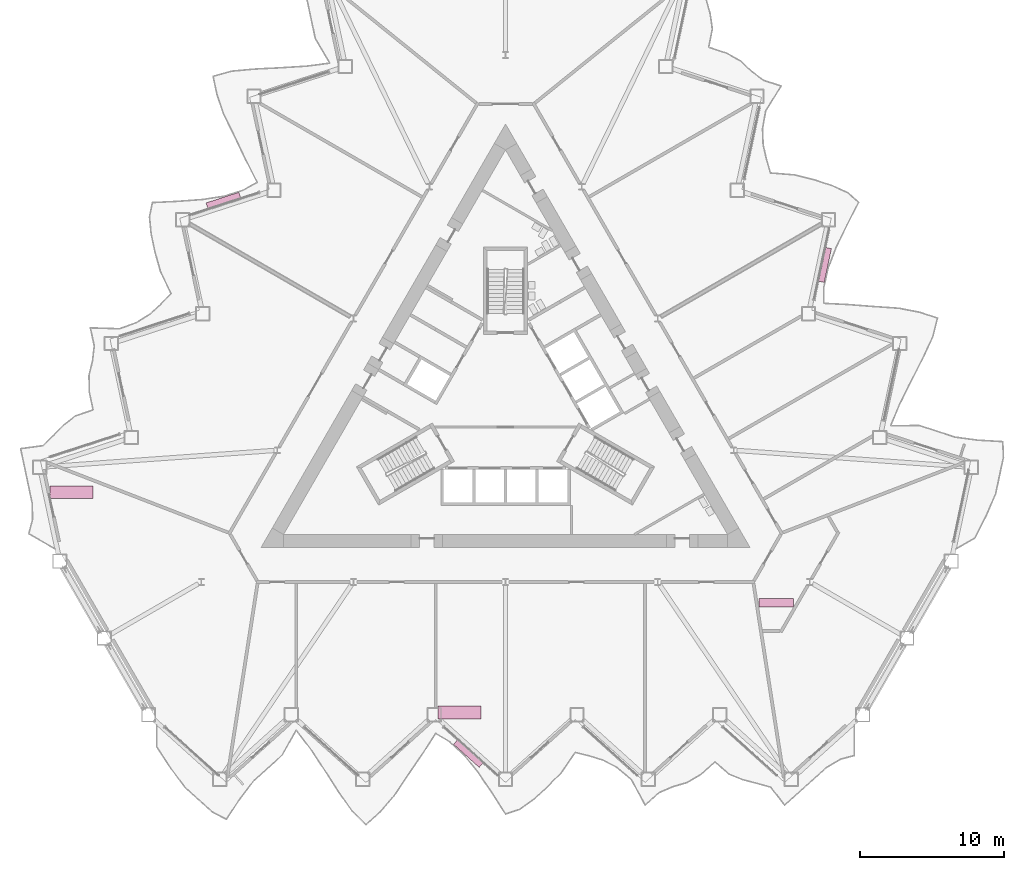
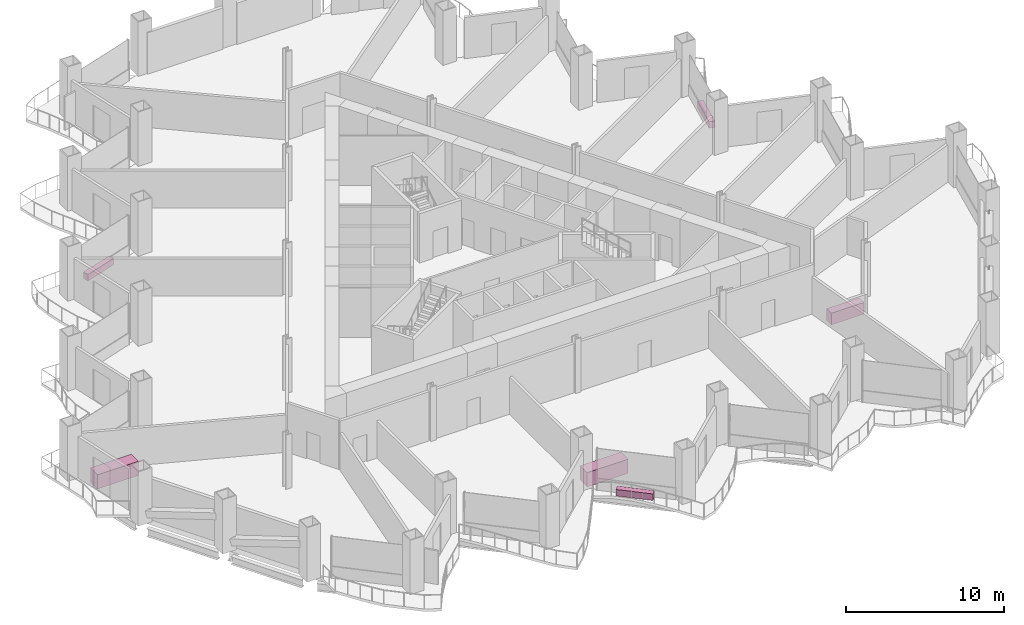
# One storey, part 21 of 21: 6 furniture elements.
"""IFC4 building model written with IfcOpenShell, lengths in metres."""

from ifc_helpers import new_model, si_unit, direction, frame, origin, origin_2d, place, context, subcontext, project, spatial, rectangle, extrude, material, type_object, element, save


model = new_model("IFC4")

# Units and contexts
model_context = context("Model", 3, precision=1e-05, world=origin(), true_north=direction((0.0, 1.0)))
body_context = subcontext(model_context, "Body", "Model", "MODEL_VIEW")
ifc_project = project(units=[si_unit("LENGTHUNIT", "METRE"), si_unit("AREAUNIT", "SQUARE_METRE"), si_unit("VOLUMEUNIT", "CUBIC_METRE"), si_unit("PLANEANGLEUNIT", "RADIAN"), si_unit("MASSUNIT", "GRAM", prefix="KILO")], contexts=[model_context])

# Site, building, storey
site_placement = place(None, origin())
site = spatial("IfcSite", under=ifc_project, at=site_placement, CompositionType="ELEMENT")
building_placement = place(site_placement, origin())
building = spatial("IfcBuilding", under=site, at=building_placement, Name="Cormorant Prow Tower", CompositionType="ELEMENT")
storey_placement = place(building_placement, frame((0.0, 0.0, 46.800048828125)))
storey = spatial("IfcBuildingStorey", under=building, at=storey_placement, Name="L09", CompositionType="ELEMENT", Elevation=46.800048828125)

# Furniture
ifc_material_1 = material(Name="Terracotta", Category="masonry")
furniture_type_1 = type_object("IfcFurnitureType", Name="Balcony planter 2400x400x500", AssemblyPlace="NOTDEFINED", PredefinedType="USERDEFINED", material=ifc_material_1)
for number, where, z_axis, x_axis, name in (
    (1, (-2.593505859375, -24.15771484375, 0.0), (0.0, 0.0, 1.0), (0.743144855234, -0.66913057331, 0.0), "Balcony planter S04"),
    (2, (22.218017578125, 9.832763671875, 0.0), (0.0, 0.0, 1.0), (0.207911695052, 0.978147599834, 0.0), "Balcony planter ENE04"),
    (3, (-19.62451171875, 14.324951171875, 0.0), (0.0, 0.0, 1.0), (-0.951056549556, -0.309016892008, 0.0), "Balcony planter WNW04"),
):
    element("IfcFurniture", number, at=place(storey_placement, frame(where, z_axis=z_axis, x_axis=x_axis)), inside=storey, type_object=furniture_type_1, Name=name, ObjectType="PLANTER", PredefinedType="USERDEFINED", context=body_context, shape_type="SweptSolid", body=[
        extrude(rectangle(XDim=2.39990234375, YDim=0.39990234375, at=origin_2d()), origin(), (0.0, 0.0, 1.0), 0.5),
    ])
ifc_material_2 = material(Name="Timber joinery", Category="wood")
furniture_type_2 = type_object("IfcFurnitureType", Name="Kitchen counter 2400x600", AssemblyPlace="NOTDEFINED", PredefinedType="NOTDEFINED", material=ifc_material_2)
furniture_placement = place(storey_placement, frame((18.829833984375, -13.669921875, 0.0), z_axis=(0.0, 0.0, 1.0), x_axis=(1.0, 0.0, 0.0)))
element("IfcFurniture", 4, at=furniture_placement, inside=storey, type_object=furniture_type_2, Name="Kitchen counter", PredefinedType="NOTDEFINED", context=body_context, shape_type="SweptSolid", body=[
    extrude(rectangle(XDim=2.39990234375, YDim=0.60009765625, at=origin_2d()), origin(), (0.0, 0.0, 1.0), 0.89990234375),
])
ifc_material_3 = material(Name="Timber joinery", Category="wood")
furniture_type_3 = type_object("IfcFurnitureType", Name="Reception desk 3000x900", AssemblyPlace="NOTDEFINED", PredefinedType="DESK", material=ifc_material_3)
for number, where, z_axis, x_axis, name in (
    (5, (-3.207763671875, -21.27880859375, 0.0), (0.0, 0.0, 1.0), (1.0, 0.0, 0.0), "Reception desk"),
    (6, (-30.18017578125, -5.974853515625, 0.0), (0.0, 0.0, 1.0), (1.0, 0.0, 0.0), "Reception desk"),
):
    element("IfcFurniture", number, at=place(storey_placement, frame(where, z_axis=z_axis, x_axis=x_axis)), inside=storey, type_object=furniture_type_3, Name=name, PredefinedType="DESK", context=body_context, shape_type="SweptSolid", body=[
        extrude(rectangle(XDim=3.0, YDim=0.89990234375, at=origin_2d()), origin(), (0.0, 0.0, 1.0), 1.10009765625),
    ])

save(model, "model.ifc")
